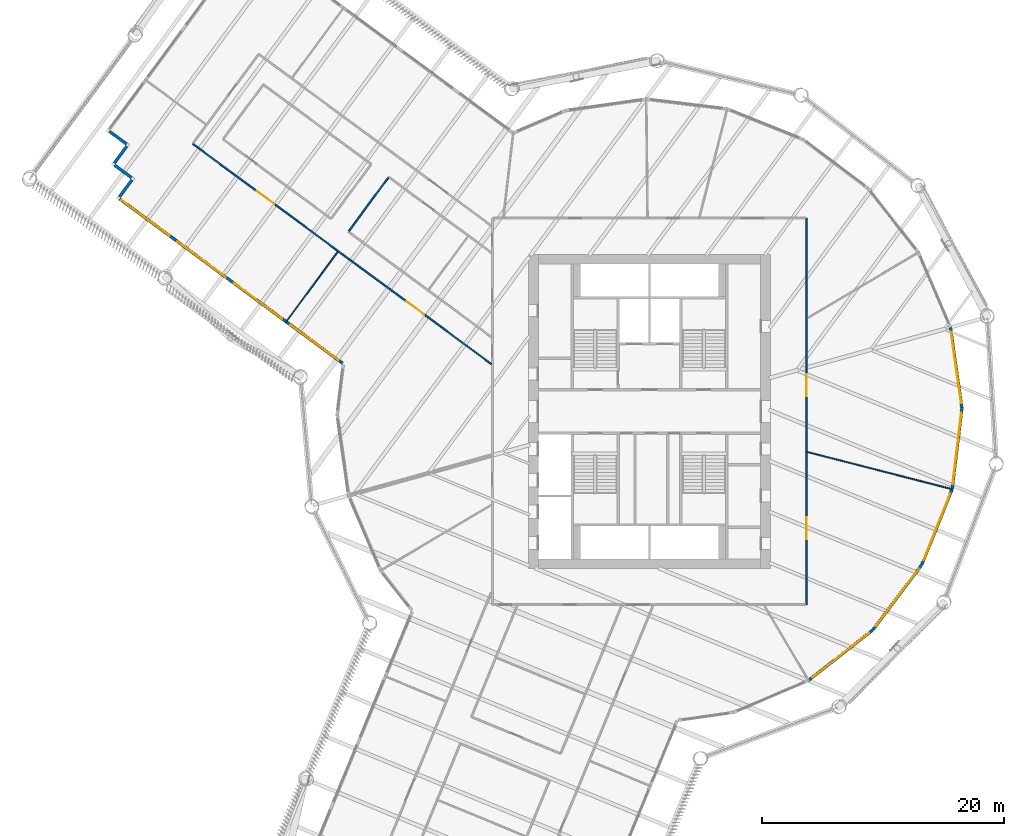
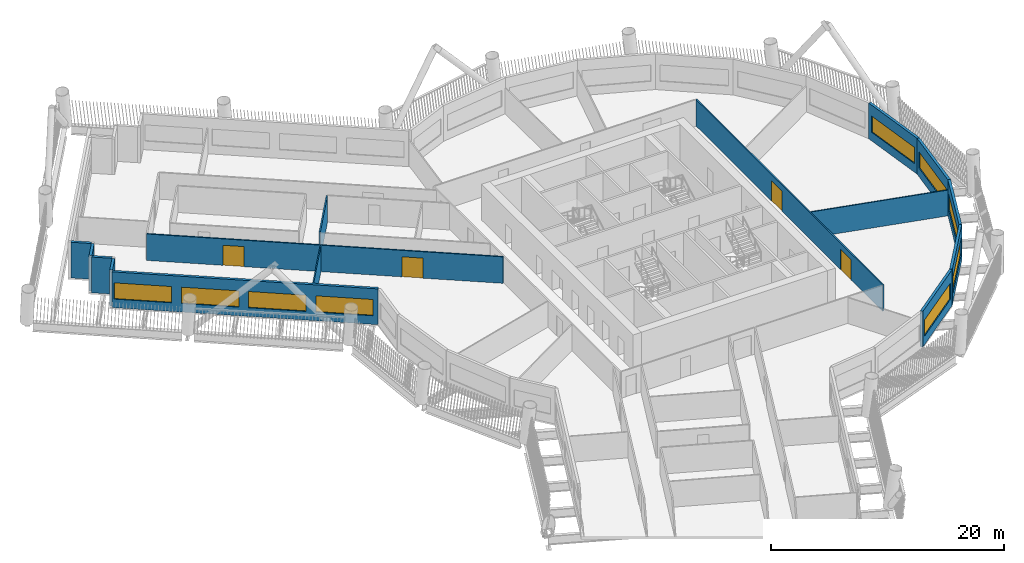
# One storey, part 6 of 23: 15 walls, 9 windows, 4 doors, 13 openings.
"""IFC4 building model written with IfcOpenShell, lengths in metres."""

from ifc_helpers import new_model, si_unit, direction, frame, frame_2d, origin, place, context, subcontext, project, spatial, rectangle, extrude, material, layer, layer_set, type_object, element, fill, save


model = new_model("IFC4")

# Units and contexts
model_context = context("Model", 3, precision=1e-05, world=origin(), true_north=direction((0.0, 1.0)))
body_context = subcontext(model_context, "Body", "Model", "MODEL_VIEW")
ifc_project = project(units=[si_unit("LENGTHUNIT", "METRE"), si_unit("AREAUNIT", "SQUARE_METRE"), si_unit("VOLUMEUNIT", "CUBIC_METRE"), si_unit("PLANEANGLEUNIT", "RADIAN"), si_unit("MASSUNIT", "GRAM", prefix="KILO")], contexts=[model_context])

# Site, building, storey
site_placement = place(None, origin())
site = spatial("IfcSite", under=ifc_project, at=site_placement, CompositionType="ELEMENT")
building_placement = place(site_placement, origin())
building = spatial("IfcBuilding", under=site, at=building_placement, Name="Tarsis Ring Headquarters", CompositionType="ELEMENT")
storey_placement = place(building_placement, frame((0.0, 0.0, 124.0)))
storey = spatial("IfcBuildingStorey", under=building, at=storey_placement, Name="L28", CompositionType="ELEMENT", Elevation=124.0)

# Walls
ifc_material_1 = material(Name="Gypsum board on steel studs", Category="steel")
ifc_layer_1 = layer(ifc_material_1, 0.10009765625)
ifc_layer_set_1 = layer_set([ifc_layer_1], Name="FL partition 100 unrated")
wall_type_1 = type_object("IfcWallType", Name="FL partition 100 unrated", PredefinedType="PARTITIONING", material=ifc_layer_set_1)
wall_1_placement = place(storey_placement, frame((13.06787109375, -3.355224609375, 0.0), z_axis=(0.0, 0.0, 1.0), x_axis=(0.96858377045, -0.248687514003, 0.0)))
element("IfcWall", 1, at=wall_1_placement, inside=storey, type_object=wall_type_1, Name="Partition PW3", PredefinedType="PARTITIONING", context=body_context, shape_type="SweptSolid", body=[
    extrude(rectangle(XDim=12.4560546875, YDim=0.10009765625, at=frame_2d((6.22802734375, 0.0))), origin(), (0.0, 0.0, 1.0), 2.699951171875),
])
wall_2_placement = place(storey_placement, frame((-30.12744140625, 7.365234375, 0.0), z_axis=(0.0, 0.0, 1.0), x_axis=(0.593424682293, 0.804889524373, 0.0)))
element("IfcWall", 2, at=wall_2_placement, inside=storey, type_object=wall_type_1, Name="Partition PW3", PredefinedType="PARTITIONING", context=body_context, shape_type="SweptSolid", body=[
    extrude(rectangle(XDim=7.27001953125, YDim=0.10009765625, at=frame_2d((3.635009765625, 0.0))), origin(), (0.0, 0.0, 1.0), 2.699951171875),
])

# Wall, openings, doors
ifc_layer_2 = layer(ifc_material_1, 0.125)
ifc_layer_set_2 = layer_set([ifc_layer_2], Name="FL partition 125 EI 60 H2770")
wall_type_2 = type_object("IfcWallType", Name="FL partition 125 EI 60 H2770", PredefinedType="PARTITIONING", material=ifc_layer_set_2)
wall_3_placement = place(storey_placement, frame((13.0, -16.0, 0.0), z_axis=(0.0, 0.0, 1.0), x_axis=(0.0, 1.0, 0.0)))
wall_3 = element("IfcWall", 3, at=wall_3_placement, inside=storey, type_object=wall_type_2, Name="Partition PW1", PredefinedType="PARTITIONING", context=body_context, shape_type="SweptSolid", body=[
    extrude(rectangle(XDim=32.0, YDim=0.125, at=frame_2d((16.0, 0.0))), origin(), (0.0, 0.0, 1.0), 2.77001953125),
])
opening_1_placement = place(wall_3_placement, frame((17.275146484375, 0.0, 0.0)))
opening_1 = element("IfcOpeningElement", 4, at=opening_1_placement, cuts=wall_3, Name="Opening D28.07", PredefinedType="OPENING", context=body_context, shape_type="SweptSolid", body=[
    extrude(rectangle(XDim=1.800048828125, YDim=2.10009765625, at=frame_2d((0.89990234375, 1.050048828125))), frame((0.0, 0.072509765625, 0.0), z_axis=(0.0, -1.0, 0.0), x_axis=(1.0, 0.0, 0.0)), (0.0, 0.0, 1.0), 0.14501953125),
])
opening_2_placement = place(wall_3_placement, frame((5.43115234375, 0.0, 0.0)))
opening_2 = element("IfcOpeningElement", 5, at=opening_2_placement, cuts=wall_3, Name="Opening D28.08", PredefinedType="OPENING", context=body_context, shape_type="SweptSolid", body=[
    extrude(rectangle(XDim=1.800048828125, YDim=2.10009765625, at=frame_2d((0.89990234375, 1.050048828125))), frame((0.0, 0.072509765625, 0.0), z_axis=(0.0, -1.0, 0.0), x_axis=(1.0, 0.0, 0.0)), (0.0, 0.0, 1.0), 0.14501953125),
])
ifc_material_2 = material(Name="Fire-rated timber door leaf in steel frame", Category="steel")
door_type = type_object("IfcDoorType", Name="FL door FD60-1800", OperationType="DOUBLE_DOOR_SINGLE_SWING", PredefinedType="DOOR", material=ifc_material_2)
door_1_placement = place(opening_1_placement, origin())
door_1 = element("IfcDoor", 6, at=door_1_placement, inside=storey, type_object=door_type, Name="Door D28.07", OperationType="DOUBLE_DOOR_SINGLE_SWING", OverallHeight=2.10009765625, OverallWidth=1.800048828125, PredefinedType="DOOR", context=body_context, shape_type="SweptSolid", body=[
    extrude(rectangle(XDim=1.800048828125, YDim=2.10009765625, at=frame_2d((0.89990234375, 1.050048828125))), frame((0.0, 0.02490234375, 0.0), z_axis=(0.0, -1.0, 0.0), x_axis=(1.0, 0.0, 0.0)), (0.0, 0.0, 1.0), 0.050048828125),
])
fill(opening_1, door_1)
door_2_placement = place(opening_2_placement, origin())
door_2 = element("IfcDoor", 7, at=door_2_placement, inside=storey, type_object=door_type, Name="Door D28.08", OperationType="DOUBLE_DOOR_SINGLE_SWING", OverallHeight=2.10009765625, OverallWidth=1.800048828125, PredefinedType="DOOR", context=body_context, shape_type="SweptSolid", body=[
    extrude(rectangle(XDim=1.800048828125, YDim=2.10009765625, at=frame_2d((0.89990234375, 1.050048828125))), frame((0.0, 0.02490234375, 0.0), z_axis=(0.0, -1.0, 0.0), x_axis=(1.0, 0.0, 0.0)), (0.0, 0.0, 1.0), 0.050048828125),
])
fill(opening_2, door_2)

wall_4_placement = place(storey_placement, frame((-37.8291015625, 22.16259765625, 0.0), z_axis=(0.0, 0.0, 1.0), x_axis=(0.804893103784, -0.59341982734, 0.0)))
wall_4 = element("IfcWall", 8, at=wall_4_placement, inside=storey, type_object=wall_type_2, Name="Partition PW1", PredefinedType="PARTITIONING", context=body_context, shape_type="SweptSolid", body=[
    extrude(rectangle(XDim=30.73779296875, YDim=0.125, at=frame_2d((15.368896484375, 0.0))), origin(), (0.0, 0.0, 1.0), 2.77001953125),
])
opening_3_placement = place(wall_4_placement, frame((6.589599609375, 0.0, 0.0)))
opening_3 = element("IfcOpeningElement", 9, at=opening_3_placement, cuts=wall_4, Name="Opening D28.01", PredefinedType="OPENING", context=body_context, shape_type="SweptSolid", body=[
    extrude(rectangle(XDim=1.800048828125, YDim=2.10009765625, at=frame_2d((0.89990234375, 1.050048828125))), frame((0.0, 0.072509765625, 0.0), z_axis=(0.0, -1.0, 0.0), x_axis=(1.0, 0.0, 0.0)), (0.0, 0.0, 1.0), 0.14501953125),
])
opening_4_placement = place(wall_4_placement, frame((22.01318359375, 0.0, 0.0)))
opening_4 = element("IfcOpeningElement", 10, at=opening_4_placement, cuts=wall_4, Name="Opening D28.15", PredefinedType="OPENING", context=body_context, shape_type="SweptSolid", body=[
    extrude(rectangle(XDim=1.800048828125, YDim=2.10009765625, at=frame_2d((0.89990234375, 1.050048828125))), frame((0.0, 0.072509765625, 0.0), z_axis=(0.0, -1.0, 0.0), x_axis=(1.0, 0.0, 0.0)), (0.0, 0.0, 1.0), 0.14501953125),
])
door_3_placement = place(opening_3_placement, origin())
door_3 = element("IfcDoor", 11, at=door_3_placement, inside=storey, type_object=door_type, Name="Door D28.01", OperationType="DOUBLE_DOOR_SINGLE_SWING", OverallHeight=2.10009765625, OverallWidth=1.800048828125, PredefinedType="DOOR", context=body_context, shape_type="SweptSolid", body=[
    extrude(rectangle(XDim=1.800048828125, YDim=2.10009765625, at=frame_2d((0.89990234375, 1.050048828125))), frame((0.0, 0.02490234375, 0.0), z_axis=(0.0, -1.0, 0.0), x_axis=(1.0, 0.0, 0.0)), (0.0, 0.0, 1.0), 0.050048828125),
])
fill(opening_3, door_3)
door_4_placement = place(opening_4_placement, origin())
door_4 = element("IfcDoor", 12, at=door_4_placement, inside=storey, type_object=door_type, Name="Door D28.15", OperationType="DOUBLE_DOOR_SINGLE_SWING", OverallHeight=2.10009765625, OverallWidth=1.800048828125, PredefinedType="DOOR", context=body_context, shape_type="SweptSolid", body=[
    extrude(rectangle(XDim=1.800048828125, YDim=2.10009765625, at=frame_2d((0.89990234375, 1.050048828125))), frame((0.0, 0.02490234375, 0.0), z_axis=(0.0, -1.0, 0.0), x_axis=(1.0, 0.0, 0.0)), (0.0, 0.0, 1.0), 0.050048828125),
])
fill(opening_4, door_4)

# Wall
wall_5_placement = place(storey_placement, frame((-24.893310546875, 14.936279296875, 0.0), z_axis=(0.0, 0.0, 1.0), x_axis=(0.593424621103, 0.804889569487, 0.0)))
element("IfcWall", 13, at=wall_5_placement, inside=storey, type_object=wall_type_2, Name="Partition PW1", PredefinedType="PARTITIONING", context=body_context, shape_type="SweptSolid", body=[
    extrude(rectangle(XDim=5.500244140625, YDim=0.125, at=frame_2d((2.75, 0.0))), origin(), (0.0, 0.0, 1.0), 2.77001953125),
])

# Wall, openings, windows
ifc_material_3 = material(Name="Terracotta clad insulated panel wall", Category="masonry")
ifc_layer_3 = layer(ifc_material_3, 0.25)
ifc_layer_set_3 = layer_set([ifc_layer_3], Name="Facade wall terracotta panel 250")
wall_type_3 = type_object("IfcWallType", Name="Facade wall terracotta panel 250", PredefinedType="STANDARD", material=ifc_layer_set_3)
wall_6_placement = place(storey_placement, frame((-43.870849609375, 17.5908203125, 0.0), z_axis=(0.0, 0.0, 1.0), x_axis=(0.804897594402, -0.593413736382, 0.0)))
wall_6 = element("IfcWall", 14, at=wall_6_placement, inside=storey, type_object=wall_type_3, Name="External wall L28-01", PredefinedType="STANDARD", context=body_context, shape_type="SweptSolid", body=[
    extrude(rectangle(XDim=22.922119140625, YDim=0.25, at=frame_2d((11.4609375, 0.0))), origin(), (0.0, 0.0, 1.0), 3.739990234375),
])
opening_5_placement = place(wall_6_placement, frame((0.17138671875, 0.0, 0.89990234375)))
opening_5 = element("IfcOpeningElement", 15, at=opening_5_placement, cuts=wall_6, Name="Opening WN05", PredefinedType="OPENING", context=body_context, shape_type="SweptSolid", body=[
    extrude(rectangle(XDim=4.949951171875, YDim=1.699951171875, at=frame_2d((2.47509765625, 0.85009765625))), frame((0.0, 0.135009765625, 0.0), z_axis=(0.0, -1.0, 0.0), x_axis=(1.0, 0.0, 0.0)), (0.0, 0.0, 1.0), 0.27001953125),
])
opening_6_placement = place(wall_6_placement, frame((5.964599609375, 0.0, 0.89990234375)))
opening_6 = element("IfcOpeningElement", 16, at=opening_6_placement, cuts=wall_6, Name="Opening WN05", PredefinedType="OPENING", context=body_context, shape_type="SweptSolid", body=[
    extrude(rectangle(XDim=4.949951171875, YDim=1.699951171875, at=frame_2d((2.47509765625, 0.85009765625))), frame((0.0, 0.135009765625, 0.0), z_axis=(0.0, -1.0, 0.0), x_axis=(1.0, 0.0, 0.0)), (0.0, 0.0, 1.0), 0.27001953125),
])
opening_7_placement = place(wall_6_placement, frame((11.757568359375, 0.0, 0.89990234375)))
opening_7 = element("IfcOpeningElement", 17, at=opening_7_placement, cuts=wall_6, Name="Opening WN05", PredefinedType="OPENING", context=body_context, shape_type="SweptSolid", body=[
    extrude(rectangle(XDim=4.949951171875, YDim=1.699951171875, at=frame_2d((2.47509765625, 0.85009765625))), frame((0.0, 0.135009765625, 0.0), z_axis=(0.0, -1.0, 0.0), x_axis=(1.0, 0.0, 0.0)), (0.0, 0.0, 1.0), 0.27001953125),
])
opening_8_placement = place(wall_6_placement, frame((17.550537109375, 0.0, 0.89990234375)))
opening_8 = element("IfcOpeningElement", 18, at=opening_8_placement, cuts=wall_6, Name="Opening WN05", PredefinedType="OPENING", context=body_context, shape_type="SweptSolid", body=[
    extrude(rectangle(XDim=4.949951171875, YDim=1.699951171875, at=frame_2d((2.47509765625, 0.85009765625))), frame((0.0, 0.135009765625, 0.0), z_axis=(0.0, -1.0, 0.0), x_axis=(1.0, 0.0, 0.0)), (0.0, 0.0, 1.0), 0.27001953125),
])
ifc_material_4 = material(Name="Aluminium framed double glazing", Category="aluminium")
window_type_1 = type_object("IfcWindowType", Name="Facade window 4950 x 1700", PartitioningType="SINGLE_PANEL", PredefinedType="WINDOW", material=ifc_material_4)
window_1_placement = place(opening_5_placement, origin())
window_1 = element("IfcWindow", 19, at=window_1_placement, inside=storey, type_object=window_type_1, Name="Window L28-01.1", OverallHeight=1.699951171875, OverallWidth=4.949951171875, PartitioningType="SINGLE_PANEL", PredefinedType="WINDOW", context=body_context, shape_type="SweptSolid", body=[
    extrude(rectangle(XDim=4.949951171875, YDim=1.699951171875, at=frame_2d((2.47509765625, 0.85009765625))), frame((0.0, 0.030029296875, 0.0), z_axis=(0.0, -1.0, 0.0), x_axis=(1.0, 0.0, 0.0)), (0.0, 0.0, 1.0), 0.06005859375),
])
fill(opening_5, window_1)
window_2_placement = place(opening_6_placement, origin())
window_2 = element("IfcWindow", 20, at=window_2_placement, inside=storey, type_object=window_type_1, Name="Window L28-01.2", OverallHeight=1.699951171875, OverallWidth=4.949951171875, PartitioningType="SINGLE_PANEL", PredefinedType="WINDOW", context=body_context, shape_type="SweptSolid", body=[
    extrude(rectangle(XDim=4.949951171875, YDim=1.699951171875, at=frame_2d((2.47509765625, 0.85009765625))), frame((0.0, 0.030029296875, 0.0), z_axis=(0.0, -1.0, 0.0), x_axis=(1.0, 0.0, 0.0)), (0.0, 0.0, 1.0), 0.06005859375),
])
fill(opening_6, window_2)
window_3_placement = place(opening_7_placement, origin())
window_3 = element("IfcWindow", 21, at=window_3_placement, inside=storey, type_object=window_type_1, Name="Window L28-01.3", OverallHeight=1.699951171875, OverallWidth=4.949951171875, PartitioningType="SINGLE_PANEL", PredefinedType="WINDOW", context=body_context, shape_type="SweptSolid", body=[
    extrude(rectangle(XDim=4.949951171875, YDim=1.699951171875, at=frame_2d((2.47509765625, 0.85009765625))), frame((0.0, 0.030029296875, 0.0), z_axis=(0.0, -1.0, 0.0), x_axis=(1.0, 0.0, 0.0)), (0.0, 0.0, 1.0), 0.06005859375),
])
fill(opening_7, window_3)
window_4_placement = place(opening_8_placement, origin())
window_4 = element("IfcWindow", 22, at=window_4_placement, inside=storey, type_object=window_type_1, Name="Window L28-01.4", OverallHeight=1.699951171875, OverallWidth=4.949951171875, PartitioningType="SINGLE_PANEL", PredefinedType="WINDOW", context=body_context, shape_type="SweptSolid", body=[
    extrude(rectangle(XDim=4.949951171875, YDim=1.699951171875, at=frame_2d((2.47509765625, 0.85009765625))), frame((0.0, 0.030029296875, 0.0), z_axis=(0.0, -1.0, 0.0), x_axis=(1.0, 0.0, 0.0)), (0.0, 0.0, 1.0), 0.06005859375),
])
fill(opening_8, window_4)

# Wall, opening, window
wall_7_placement = place(storey_placement, frame((13.183837890625, -22.260498046875, 0.0), z_axis=(0.0, 0.0, 1.0), x_axis=(0.786944368379, 0.617023955027, 0.0)))
wall_7 = element("IfcWall", 23, at=wall_7_placement, inside=storey, type_object=wall_type_3, Name="External wall L28-19", PredefinedType="STANDARD", context=body_context, shape_type="SweptSolid", body=[
    extrude(rectangle(XDim=6.721435546875, YDim=0.25, at=frame_2d((3.36083984375, 0.0))), origin(), (0.0, 0.0, 1.0), 3.739990234375),
])
opening_9_placement = place(wall_7_placement, frame((0.3857421875, 0.0, 0.89990234375)))
opening_9 = element("IfcOpeningElement", 24, at=opening_9_placement, cuts=wall_7, Name="Opening WN07", PredefinedType="OPENING", context=body_context, shape_type="SweptSolid", body=[
    extrude(rectangle(XDim=5.949951171875, YDim=1.699951171875, at=frame_2d((2.97509765625, 0.85009765625))), frame((0.0, 0.135009765625, 0.0), z_axis=(0.0, -1.0, 0.0), x_axis=(1.0, 0.0, 0.0)), (0.0, 0.0, 1.0), 0.27001953125),
])
window_type_2 = type_object("IfcWindowType", Name="Facade window 5950 x 1700", PartitioningType="SINGLE_PANEL", PredefinedType="WINDOW", material=ifc_material_4)
window_5_placement = place(opening_9_placement, origin())
window_5 = element("IfcWindow", 25, at=window_5_placement, inside=storey, type_object=window_type_2, Name="Window L28-19.1", OverallHeight=1.699951171875, OverallWidth=5.949951171875, PartitioningType="SINGLE_PANEL", PredefinedType="WINDOW", context=body_context, shape_type="SweptSolid", body=[
    extrude(rectangle(XDim=5.949951171875, YDim=1.699951171875, at=frame_2d((2.97509765625, 0.85009765625))), frame((0.0, 0.030029296875, 0.0), z_axis=(0.0, -1.0, 0.0), x_axis=(1.0, 0.0, 0.0)), (0.0, 0.0, 1.0), 0.06005859375),
])
fill(opening_9, window_5)

wall_8_placement = place(storey_placement, frame((18.49609375, -18.08984375, 0.0), z_axis=(0.0, 0.0, 1.0), x_axis=(0.600418358306, 0.799686060282, 0.0)))
wall_8 = element("IfcWall", 26, at=wall_8_placement, inside=storey, type_object=wall_type_3, Name="External wall L28-20", PredefinedType="STANDARD", context=body_context, shape_type="SweptSolid", body=[
    extrude(rectangle(XDim=6.721435546875, YDim=0.25, at=frame_2d((3.36083984375, 0.0))), origin(), (0.0, 0.0, 1.0), 3.739990234375),
])
opening_10_placement = place(wall_8_placement, frame((0.3857421875, 0.0, 0.89990234375)))
opening_10 = element("IfcOpeningElement", 27, at=opening_10_placement, cuts=wall_8, Name="Opening WN07", PredefinedType="OPENING", context=body_context, shape_type="SweptSolid", body=[
    extrude(rectangle(XDim=5.949951171875, YDim=1.699951171875, at=frame_2d((2.97509765625, 0.85009765625))), frame((0.0, 0.135009765625, 0.0), z_axis=(0.0, -1.0, 0.0), x_axis=(1.0, 0.0, 0.0)), (0.0, 0.0, 1.0), 0.27001953125),
])
window_6_placement = place(opening_10_placement, origin())
window_6 = element("IfcWindow", 28, at=window_6_placement, inside=storey, type_object=window_type_2, Name="Window L28-20.1", OverallHeight=1.699951171875, OverallWidth=5.949951171875, PartitioningType="SINGLE_PANEL", PredefinedType="WINDOW", context=body_context, shape_type="SweptSolid", body=[
    extrude(rectangle(XDim=5.949951171875, YDim=1.699951171875, at=frame_2d((2.97509765625, 0.85009765625))), frame((0.0, 0.030029296875, 0.0), z_axis=(0.0, -1.0, 0.0), x_axis=(1.0, 0.0, 0.0)), (0.0, 0.0, 1.0), 0.06005859375),
])
fill(opening_10, window_6)

wall_9_placement = place(storey_placement, frame((22.5478515625, -12.686279296875, 0.0), z_axis=(0.0, 0.0, 1.0), x_axis=(0.37299959745, 0.927831504262, 0.0)))
wall_9 = element("IfcWall", 29, at=wall_9_placement, inside=storey, type_object=wall_type_3, Name="External wall L28-21", PredefinedType="STANDARD", context=body_context, shape_type="SweptSolid", body=[
    extrude(rectangle(XDim=6.721435546875, YDim=0.25, at=frame_2d((3.36083984375, 0.0))), origin(), (0.0, 0.0, 1.0), 3.739990234375),
])
opening_11_placement = place(wall_9_placement, frame((0.3857421875, 0.0, 0.89990234375)))
opening_11 = element("IfcOpeningElement", 30, at=opening_11_placement, cuts=wall_9, Name="Opening WN07", PredefinedType="OPENING", context=body_context, shape_type="SweptSolid", body=[
    extrude(rectangle(XDim=5.949951171875, YDim=1.699951171875, at=frame_2d((2.97509765625, 0.85009765625))), frame((0.0, 0.135009765625, 0.0), z_axis=(0.0, -1.0, 0.0), x_axis=(1.0, 0.0, 0.0)), (0.0, 0.0, 1.0), 0.27001953125),
])
window_7_placement = place(opening_11_placement, origin())
window_7 = element("IfcWindow", 31, at=window_7_placement, inside=storey, type_object=window_type_2, Name="Window L28-21.1", OverallHeight=1.699951171875, OverallWidth=5.949951171875, PartitioningType="SINGLE_PANEL", PredefinedType="WINDOW", context=body_context, shape_type="SweptSolid", body=[
    extrude(rectangle(XDim=5.949951171875, YDim=1.699951171875, at=frame_2d((2.97509765625, 0.85009765625))), frame((0.0, 0.030029296875, 0.0), z_axis=(0.0, -1.0, 0.0), x_axis=(1.0, 0.0, 0.0)), (0.0, 0.0, 1.0), 0.06005859375),
])
fill(opening_11, window_7)

wall_10_placement = place(storey_placement, frame((25.06298828125, -6.418212890625, 0.0), z_axis=(0.0, 0.0, 1.0), x_axis=(0.120153469529, 0.992755329253, 0.0)))
wall_10 = element("IfcWall", 32, at=wall_10_placement, inside=storey, type_object=wall_type_3, Name="External wall L28-22", PredefinedType="STANDARD", context=body_context, shape_type="SweptSolid", body=[
    extrude(rectangle(XDim=6.721435546875, YDim=0.25, at=frame_2d((3.36083984375, 0.0))), origin(), (0.0, 0.0, 1.0), 3.739990234375),
])
opening_12_placement = place(wall_10_placement, frame((0.3857421875, 0.0, 0.89990234375)))
opening_12 = element("IfcOpeningElement", 33, at=opening_12_placement, cuts=wall_10, Name="Opening WN07", PredefinedType="OPENING", context=body_context, shape_type="SweptSolid", body=[
    extrude(rectangle(XDim=5.949951171875, YDim=1.699951171875, at=frame_2d((2.97509765625, 0.85009765625))), frame((0.0, 0.135009765625, 0.0), z_axis=(0.0, -1.0, 0.0), x_axis=(1.0, 0.0, 0.0)), (0.0, 0.0, 1.0), 0.27001953125),
])
window_8_placement = place(opening_12_placement, origin())
window_8 = element("IfcWindow", 34, at=window_8_placement, inside=storey, type_object=window_type_2, Name="Window L28-22.1", OverallHeight=1.699951171875, OverallWidth=5.949951171875, PartitioningType="SINGLE_PANEL", PredefinedType="WINDOW", context=body_context, shape_type="SweptSolid", body=[
    extrude(rectangle(XDim=5.949951171875, YDim=1.699951171875, at=frame_2d((2.97509765625, 0.85009765625))), frame((0.0, 0.030029296875, 0.0), z_axis=(0.0, -1.0, 0.0), x_axis=(1.0, 0.0, 0.0)), (0.0, 0.0, 1.0), 0.06005859375),
])
fill(opening_12, window_8)

wall_11_placement = place(storey_placement, frame((25.8701171875, 0.287353515625, 0.0), z_axis=(0.0, 0.0, 1.0), x_axis=(-0.140897556405, 0.990024180815, 0.0)))
wall_11 = element("IfcWall", 35, at=wall_11_placement, inside=storey, type_object=wall_type_3, Name="External wall L28-23", PredefinedType="STANDARD", context=body_context, shape_type="SweptSolid", body=[
    extrude(rectangle(XDim=6.721435546875, YDim=0.25, at=frame_2d((3.36083984375, 0.0))), origin(), (0.0, 0.0, 1.0), 3.739990234375),
])
opening_13_placement = place(wall_11_placement, frame((0.3857421875, 0.0, 0.89990234375)))
opening_13 = element("IfcOpeningElement", 36, at=opening_13_placement, cuts=wall_11, Name="Opening WN07", PredefinedType="OPENING", context=body_context, shape_type="SweptSolid", body=[
    extrude(rectangle(XDim=5.949951171875, YDim=1.699951171875, at=frame_2d((2.97509765625, 0.85009765625))), frame((0.0, 0.135009765625, 0.0), z_axis=(0.0, -1.0, 0.0), x_axis=(1.0, 0.0, 0.0)), (0.0, 0.0, 1.0), 0.27001953125),
])
window_9_placement = place(opening_13_placement, origin())
window_9 = element("IfcWindow", 37, at=window_9_placement, inside=storey, type_object=window_type_2, Name="Window L28-23.1", OverallHeight=1.699951171875, OverallWidth=5.949951171875, PartitioningType="SINGLE_PANEL", PredefinedType="WINDOW", context=body_context, shape_type="SweptSolid", body=[
    extrude(rectangle(XDim=5.949951171875, YDim=1.699951171875, at=frame_2d((2.97509765625, 0.85009765625))), frame((0.0, 0.030029296875, 0.0), z_axis=(0.0, -1.0, 0.0), x_axis=(1.0, 0.0, 0.0)), (0.0, 0.0, 1.0), 0.06005859375),
])
fill(opening_13, window_9)

# Walls
wall_12_placement = place(storey_placement, frame((-44.716552734375, 23.18408203125, 0.0), z_axis=(0.0, 0.0, 1.0), x_axis=(0.804845391426, -0.593484537204, 0.0)))
element("IfcWall", 38, at=wall_12_placement, inside=storey, type_object=wall_type_3, Name="External wall L28-37", PredefinedType="STANDARD", context=body_context, shape_type="SweptSolid", body=[
    extrude(rectangle(XDim=1.75, YDim=0.25, at=frame_2d((0.875, 0.0))), origin(), (0.0, 0.0, 1.0), 3.739990234375),
])
wall_13_placement = place(storey_placement, frame((-43.28173828125, 21.970703125, 0.0), z_axis=(0.0, 0.0, 1.0), x_axis=(-0.593394153365, -0.804912031686, 0.0)))
element("IfcWall", 39, at=wall_13_placement, inside=storey, type_object=wall_type_3, Name="External wall L28-38", PredefinedType="STANDARD", context=body_context, shape_type="SweptSolid", body=[
    extrude(rectangle(XDim=1.749755859375, YDim=0.25, at=frame_2d((0.875, 0.0))), origin(), (0.0, 0.0, 1.0), 3.739990234375),
])
wall_14_placement = place(storey_placement, frame((-44.293701171875, 20.387451171875, 0.0), z_axis=(0.0, 0.0, 1.0), x_axis=(0.804894522652, -0.593417902835, 0.0)))
element("IfcWall", 40, at=wall_14_placement, inside=storey, type_object=wall_type_3, Name="External wall L28-39", PredefinedType="STANDARD", context=body_context, shape_type="SweptSolid", body=[
    extrude(rectangle(XDim=1.750244140625, YDim=0.25, at=frame_2d((0.875, 0.0))), origin(), (0.0, 0.0, 1.0), 3.739990234375),
])
wall_15_placement = place(storey_placement, frame((-42.858642578125, 19.174072265625, 0.0), z_axis=(0.0, 0.0, 1.0), x_axis=(-0.593484537204, -0.804845391426, 0.0)))
element("IfcWall", 41, at=wall_15_placement, inside=storey, type_object=wall_type_3, Name="External wall L28-40", PredefinedType="STANDARD", context=body_context, shape_type="SweptSolid", body=[
    extrude(rectangle(XDim=1.75, YDim=0.25, at=frame_2d((0.875, 0.0))), origin(), (0.0, 0.0, 1.0), 3.739990234375),
])

save(model, "model.ifc")
